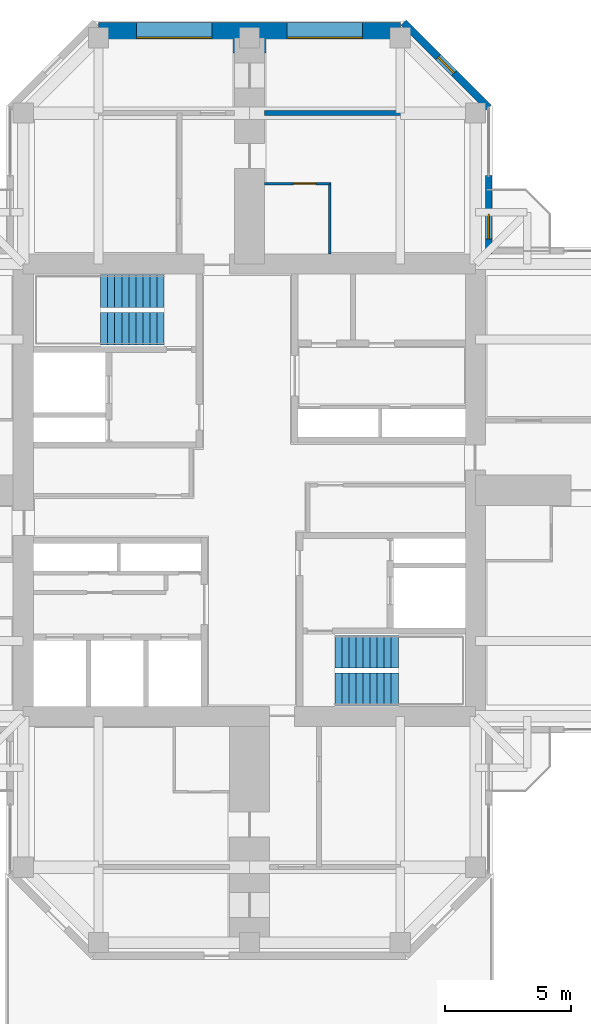
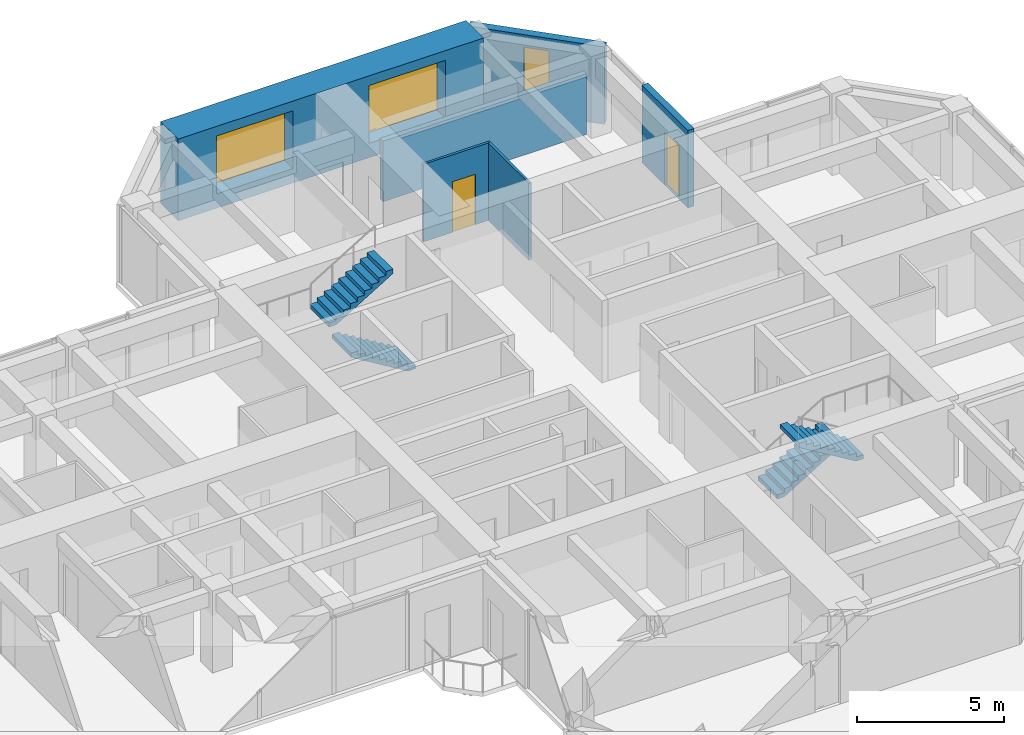
# One storey, part 12 of 14: 6 walls, 4 stair flights, 3 windows, 2 doors, 5 openings, 2 elements without a shape of their own.
"""IFC4 building model written with IfcOpenShell, lengths in metres."""

from ifc_helpers import new_model, si_unit, direction, frame, frame_2d, origin, place, context, subcontext, project, spatial, polyline, rectangle, hollow_rectangle, outline, extrude, material, layer, layer_set, constituent, constituent_set, type_object, element, fill, aggregate, save


model = new_model("IFC4")

# Units and contexts
model_context = context("Model", 3, precision=1e-05, world=origin(), true_north=direction((0.0, 1.0)))
body_context = subcontext(model_context, "Body", "Model", "MODEL_VIEW")
ifc_project = project(units=[si_unit("LENGTHUNIT", "METRE"), si_unit("AREAUNIT", "SQUARE_METRE"), si_unit("VOLUMEUNIT", "CUBIC_METRE"), si_unit("PLANEANGLEUNIT", "RADIAN"), si_unit("MASSUNIT", "GRAM", prefix="KILO")], contexts=[model_context])

# Site, building, storey
site_placement = place(None, origin())
site = spatial("IfcSite", under=ifc_project, at=site_placement, CompositionType="ELEMENT")
building_placement = place(site_placement, origin())
building = spatial("IfcBuilding", under=site, at=building_placement, Name="Torre Cruceta", CompositionType="ELEMENT")
storey_placement = place(building_placement, frame((0.0, 0.0, 222.10009765625)))
storey = spatial("IfcBuildingStorey", under=building, at=storey_placement, Name="L56", CompositionType="ELEMENT", Elevation=222.10009765625)

# Wall
ifc_material_1 = material(Name="Water-resistant plasterboard on steel studs", Category="steel")
ifc_layer_1 = layer(ifc_material_1, 0.10009765625)
ifc_layer_set_1 = layer_set([ifc_layer_1], Name="Water-resistant plasterboard on steel studs")
wall_type_1 = type_object("IfcWallType", Name="BATHROOM WALL 100", PredefinedType="PARTITIONING", material=ifc_layer_set_1)
wall_1_placement = place(storey_placement, frame((3.199951171875, 9.39990234375, 0.0), z_axis=(0.0, 0.0, 1.0), x_axis=(0.0, 1.0, 0.0)))
element("IfcWall", 1, at=wall_1_placement, inside=storey, type_object=wall_type_1, Name="PT4 L56-N-U1RBB", PredefinedType="PARTITIONING", context=body_context, shape_type="SweptSolid", body=[
    extrude(rectangle(XDim=2.85009765625, YDim=0.10009765625, at=frame_2d((1.425048828125, 0.0))), origin(), (0.0, 0.0, 1.0), 3.219970703125),
])

# Wall, opening, door
wall_2_placement = place(storey_placement, frame((3.199951171875, 12.199951171875, 0.0), z_axis=(0.0, 0.0, 1.0), x_axis=(-1.0, 0.0, 0.0)))
wall_2 = element("IfcWall", 2, at=wall_2_placement, inside=storey, type_object=wall_type_1, Name="PT4 L56-N-U1RBS", PredefinedType="PARTITIONING", context=body_context, shape_type="SweptSolid", body=[
    extrude(rectangle(XDim=2.599853515625, YDim=0.10009765625, at=frame_2d((1.2998046875, 0.0))), origin(), (0.0, 0.0, 1.0), 3.219970703125),
])
opening_1_placement = place(wall_2_placement, frame((0.550048828125, 0.0, 0.0)))
opening_1 = element("IfcOpeningElement", 3, at=opening_1_placement, cuts=wall_2, Name="Opening D7", PredefinedType="OPENING", context=body_context, shape_type="SweptSolid", body=[
    extrude(rectangle(XDim=0.89990234375, YDim=2.10009765625, at=frame_2d((0.449951171875, 1.050048828125))), frame((0.0, 0.06005859375, 0.0), z_axis=(0.0, -1.0, 0.0), x_axis=(1.0, 0.0, 0.0)), (0.0, 0.0, 1.0), 0.1201171875),
])
ifc_material_2 = material(Name="Timber door", Category="wood")
door_type_1 = type_object("IfcDoorType", Name="BATHROOM DOOR 900X2100", OperationType="SINGLE_SWING_LEFT", PredefinedType="DOOR", material=ifc_material_2)
door_1_placement = place(opening_1_placement, origin())
door_1 = element("IfcDoor", 4, at=door_1_placement, inside=storey, type_object=door_type_1, Name="D7 L56-N-U1RBS-D1", OperationType="SINGLE_SWING_LEFT", OverallHeight=2.10009765625, OverallWidth=0.89990234375, PredefinedType="DOOR", context=body_context, shape_type="SweptSolid", body=[
    extrude(rectangle(XDim=0.89990234375, YDim=2.10009765625, at=frame_2d((0.449951171875, 1.050048828125))), frame((0.0, 0.02490234375, 0.0), z_axis=(0.0, -1.0, 0.0), x_axis=(1.0, 0.0, 0.0)), (0.0, 0.0, 1.0), 0.050048828125),
])
fill(opening_1, door_1)

# Wall, opening, window
ifc_material_3 = material(Name="Concrete G30 (fck 30 MPa)", Category="concrete")
ifc_layer_2 = layer(ifc_material_3, 0.300048828125)
ifc_layer_set_2 = layer_set([ifc_layer_2], Name="Concrete G30 (fck 30 MPa)")
wall_type_2 = type_object("IfcWallType", Name="EXPOSED CONCRETE FACADE WALL 300", PredefinedType="SOLIDWALL", material=ifc_layer_set_2)
wall_3_placement = place(storey_placement, frame((9.52001953125, 15.21533203125, 0.0), z_axis=(0.0, 0.0, 1.0), x_axis=(-0.707081278264, 0.707132283189, 0.0)))
wall_3 = element("IfcWall", 5, at=wall_3_placement, inside=storey, type_object=wall_type_2, Name="EW1 facade wall L56 N chamfer 06", PredefinedType="SOLIDWALL", context=body_context, shape_type="SweptSolid", body=[
    extrude(rectangle(XDim=4.78662109375, YDim=0.300048828125, at=frame_2d((2.393310546875, 0.0))), origin(), (0.0, 0.0, 1.0), 3.219970703125),
])
opening_2_placement = place(wall_3_placement, frame((1.943359375, 0.0, 0.300048828125)))
opening_2 = element("IfcOpeningElement", 6, at=opening_2_placement, cuts=wall_3, Name="Opening WN5", PredefinedType="OPENING", context=body_context, shape_type="SweptSolid", body=[
    extrude(rectangle(XDim=0.89990234375, YDim=2.39990234375, at=frame_2d((0.449951171875, 1.199951171875))), frame((0.0, 0.159912109375, 0.0), z_axis=(0.0, -1.0, 0.0), x_axis=(1.0, 0.0, 0.0)), (0.0, 0.0, 1.0), 0.320068359375),
])
ifc_material_4 = material(Name="Aluminium window frame", Category="aluminium")
ifc_constituent_1 = constituent(ifc_material_4, Name="Frame")
ifc_material_5 = material(Name="Laminated insulating glass unit, low-iron clear", Category="glass")
ifc_constituent_2 = constituent(ifc_material_5, Name="Glazing")
ifc_constituent_set_1 = constituent_set(constituents=[ifc_constituent_1, ifc_constituent_2], Name="Aluminium window")
window_type_1 = type_object("IfcWindowType", Name="CHAMFER SLOT WINDOW 900X2400", PartitioningType="SINGLE_PANEL", PredefinedType="WINDOW", material=ifc_constituent_set_1)
window_1_placement = place(opening_2_placement, origin())
window_1 = element("IfcWindow", 7, at=window_1_placement, inside=storey, type_object=window_type_1, Name="WN5 L56 N 1", OverallHeight=2.39990234375, OverallWidth=0.89990234375, PartitioningType="SINGLE_PANEL", PredefinedType="WINDOW", context=body_context, shape_type="SweptSolid", body=[
    extrude(hollow_rectangle(XDim=0.89990234375, YDim=2.39990234375, WallThickness=0.06005859375, at=frame_2d((0.449951171875, 1.199951171875))), frame((0.0, 0.030029296875, 0.0), z_axis=(0.0, -1.0, 0.0), x_axis=(1.0, 0.0, 0.0)), (0.0, 0.0, 1.0), 0.06005859375),
    extrude(rectangle(XDim=0.77880859375, YDim=2.27880859375, at=frame_2d((0.449951171875, 1.199951171875))), frame((0.0, 0.030029296875, 0.0), z_axis=(0.0, -1.0, 0.0), x_axis=(1.0, 0.0, 0.0)), (0.0, 0.0, 1.0), 0.06005859375),
])
fill(opening_2, window_1)

# Wall, openings, windows
ifc_material_6 = material(Name="Concrete G60 (fck 60 MPa)", Category="concrete")
ifc_layer_3 = layer(ifc_material_6, 1.199951171875)
ifc_layer_set_3 = layer_set([ifc_layer_3], Name="Concrete G60 (fck 60 MPa)")
wall_type_3 = type_object("IfcWallType", Name="NOSE WALL 1200 G60", PredefinedType="SHEAR", material=ifc_layer_set_3)
wall_4_placement = place(storey_placement, frame((6.0, 18.0, 0.0), z_axis=(0.0, 0.0, 1.0), x_axis=(-1.0, 0.0, 0.0)))
wall_4 = element("IfcWall", 8, at=wall_4_placement, inside=storey, type_object=wall_type_3, Name="NW1 nose wall L56 N", PredefinedType="SHEAR", context=body_context, shape_type="SweptSolid", body=[
    extrude(rectangle(XDim=12.0, YDim=1.199951171875, at=frame_2d((6.0, 0.0))), origin(), (0.0, 0.0, 1.0), 3.39990234375),
])
opening_3_placement = place(wall_4_placement, frame((1.5, 0.0, 0.60009765625)))
opening_3 = element("IfcOpeningElement", 9, at=opening_3_placement, cuts=wall_4, Name="Opening WN6", PredefinedType="OPENING", context=body_context, shape_type="SweptSolid", body=[
    extrude(rectangle(XDim=3.0, YDim=2.39990234375, at=frame_2d((1.5, 1.199951171875))), frame((0.0, 0.60986328125, 0.0), z_axis=(0.0, -1.0, 0.0), x_axis=(1.0, 0.0, 0.0)), (0.0, 0.0, 1.0), 1.219970703125),
])
opening_4_placement = place(wall_4_placement, frame((7.5, 0.0, 0.60009765625)))
opening_4 = element("IfcOpeningElement", 10, at=opening_4_placement, cuts=wall_4, Name="Opening WN6", PredefinedType="OPENING", context=body_context, shape_type="SweptSolid", body=[
    extrude(rectangle(XDim=3.0, YDim=2.39990234375, at=frame_2d((1.5, 1.199951171875))), frame((0.0, 0.60986328125, 0.0), z_axis=(0.0, -1.0, 0.0), x_axis=(1.0, 0.0, 0.0)), (0.0, 0.0, 1.0), 1.219970703125),
])
ifc_material_7 = material(Name="Aluminium window frame", Category="aluminium")
ifc_constituent_3 = constituent(ifc_material_7, Name="Frame")
ifc_material_8 = material(Name="Laminated insulating glass unit, low-iron clear", Category="glass")
ifc_constituent_4 = constituent(ifc_material_8, Name="Glazing")
ifc_constituent_set_2 = constituent_set(constituents=[ifc_constituent_3, ifc_constituent_4], Name="Aluminium window")
window_type_2 = type_object("IfcWindowType", Name="NOSE WALL WINDOW 3000X2400", PartitioningType="SINGLE_PANEL", PredefinedType="WINDOW", material=ifc_constituent_set_2)
window_2_placement = place(opening_3_placement, origin())
window_2 = element("IfcWindow", 11, at=window_2_placement, inside=storey, type_object=window_type_2, Name="WN6 L56 N 1", OverallHeight=2.39990234375, OverallWidth=3.0, PartitioningType="SINGLE_PANEL", PredefinedType="WINDOW", context=body_context, shape_type="SweptSolid", body=[
    extrude(hollow_rectangle(XDim=3.0, YDim=2.39990234375, WallThickness=0.06005859375, at=frame_2d((1.5, 1.199951171875))), frame((0.0, 0.030029296875, 0.0), z_axis=(0.0, -1.0, 0.0), x_axis=(1.0, 0.0, 0.0)), (0.0, 0.0, 1.0), 0.06005859375),
    extrude(rectangle(XDim=2.87890625, YDim=2.27880859375, at=frame_2d((1.5, 1.199951171875))), frame((0.0, 0.030029296875, 0.0), z_axis=(0.0, -1.0, 0.0), x_axis=(1.0, 0.0, 0.0)), (0.0, 0.0, 1.0), 0.06005859375),
])
fill(opening_3, window_2)
window_3_placement = place(opening_4_placement, origin())
window_3 = element("IfcWindow", 12, at=window_3_placement, inside=storey, type_object=window_type_2, Name="WN6 L56 N 2", OverallHeight=2.39990234375, OverallWidth=3.0, PartitioningType="SINGLE_PANEL", PredefinedType="WINDOW", context=body_context, shape_type="SweptSolid", body=[
    extrude(hollow_rectangle(XDim=3.0, YDim=2.39990234375, WallThickness=0.06005859375, at=frame_2d((1.5, 1.199951171875))), frame((0.0, 0.030029296875, 0.0), z_axis=(0.0, -1.0, 0.0), x_axis=(1.0, 0.0, 0.0)), (0.0, 0.0, 1.0), 0.06005859375),
    extrude(rectangle(XDim=2.87890625, YDim=2.27880859375, at=frame_2d((1.5, 1.199951171875))), frame((0.0, 0.030029296875, 0.0), z_axis=(0.0, -1.0, 0.0), x_axis=(1.0, 0.0, 0.0)), (0.0, 0.0, 1.0), 0.06005859375),
])
fill(opening_4, window_3)

# Wall
ifc_material_9 = material(Name="Concrete G25 (fck 25 MPa)", Category="concrete")
ifc_layer_4 = layer(ifc_material_9, 0.199951171875)
ifc_layer_set_4 = layer_set([ifc_layer_4], Name="Concrete G25 (fck 25 MPa)")
wall_type_4 = type_object("IfcWallType", Name="UNIT SEPARATING WALL 200", PredefinedType="SOLIDWALL", material=ifc_layer_set_4)
wall_5_placement = place(storey_placement, frame((8.60009765625, 15.0, 0.0), z_axis=(0.0, 0.0, 1.0), x_axis=(-1.0, 0.0, 0.0)))
element("IfcWall", 13, at=wall_5_placement, inside=storey, type_object=wall_type_4, Name="PT2 L56-N-ENDa", PredefinedType="SOLIDWALL", context=body_context, shape_type="SweptSolid", body=[
    extrude(rectangle(XDim=8.0, YDim=0.199951171875, at=frame_2d((4.0, 0.0))), origin(), (0.0, 0.0, 1.0), 2.52001953125),
])

# Wall, opening, door
ifc_material_10 = material(Name="Concrete G30 (fck 30 MPa)", Category="concrete")
ifc_layer_5 = layer(ifc_material_10, 0.25)
ifc_layer_set_5 = layer_set([ifc_layer_5], Name="Concrete G30 (fck 30 MPa)")
wall_type_5 = type_object("IfcWallType", Name="WINTER GARDEN WALL 250", PredefinedType="SOLIDWALL", material=ifc_layer_set_5)
wall_6_placement = place(storey_placement, frame((9.52001953125, 9.39501953125, 0.0), z_axis=(0.0, 0.0, 1.0), x_axis=(0.0, 1.0, 0.0)))
wall_6 = element("IfcWall", 14, at=wall_6_placement, inside=storey, type_object=wall_type_5, Name="EW2 winter garden wall L56 05", PredefinedType="SOLIDWALL", context=body_context, shape_type="SweptSolid", body=[
    extrude(rectangle(XDim=3.125, YDim=0.25, at=frame_2d((1.5625, 0.0))), origin(), (0.0, 0.0, 1.0), 3.219970703125),
])
opening_5_placement = place(wall_6_placement, frame((0.60009765625, 0.0, 0.0)))
opening_5 = element("IfcOpeningElement", 15, at=opening_5_placement, cuts=wall_6, Name="Opening D10", PredefinedType="OPENING", context=body_context, shape_type="SweptSolid", body=[
    extrude(rectangle(XDim=1.0, YDim=2.199951171875, at=frame_2d((0.5, 1.10009765625))), frame((0.0, 0.135009765625, 0.0), z_axis=(0.0, -1.0, 0.0), x_axis=(1.0, 0.0, 0.0)), (0.0, 0.0, 1.0), 0.27001953125),
])
ifc_material_11 = material(Name="Aluminium door frame", Category="aluminium")
ifc_constituent_5 = constituent(ifc_material_11, Name="Frame")
ifc_material_12 = material(Name="Laminated safety glass", Category="glass")
ifc_constituent_6 = constituent(ifc_material_12, Name="Glazing")
ifc_constituent_set_3 = constituent_set(constituents=[ifc_constituent_5, ifc_constituent_6], Name="Aluminium glazed door")
door_type_2 = type_object("IfcDoorType", Name="BALCONY DOOR 1000X2200", OperationType="SINGLE_SWING_RIGHT", PredefinedType="DOOR", material=ifc_constituent_set_3)
door_2_placement = place(opening_5_placement, origin())
door_2 = element("IfcDoor", 16, at=door_2_placement, inside=storey, type_object=door_type_2, Name="D10 balcony door L56 05", OperationType="SINGLE_SWING_LEFT", OverallHeight=2.199951171875, OverallWidth=1.0, PredefinedType="DOOR", context=body_context, shape_type="SweptSolid", body=[
    extrude(hollow_rectangle(XDim=1.0, YDim=2.199951171875, WallThickness=0.06005859375, at=frame_2d((0.5, 1.10009765625))), frame((0.0, 0.02490234375, 0.0), z_axis=(0.0, -1.0, 0.0), x_axis=(1.0, 0.0, 0.0)), (0.0, 0.0, 1.0), 0.050048828125),
    extrude(rectangle(XDim=0.87890625, YDim=2.078857421875, at=frame_2d((0.5, 1.10009765625))), frame((0.0, 0.02490234375, 0.0), z_axis=(0.0, -1.0, 0.0), x_axis=(1.0, 0.0, 0.0)), (0.0, 0.0, 1.0), 0.050048828125),
])
fill(opening_5, door_2)

# Stair, stair flights
ifc_material_13 = material(Name="Concrete G30 (fck 30 MPa)", Category="concrete")
stair_type = type_object("IfcStairType", Name="STAIR HALF-TURN 1300", PredefinedType="HALF_TURN_STAIR", material=ifc_material_13)
stair_1_placement = place(storey_placement, origin())
stair_1 = element("IfcStair", 17, at=stair_1_placement, inside=storey, type_object=stair_type, Name="Stair ST1 L56", PredefinedType="HALF_TURN_STAIR")
ifc_material_14 = material(Name="Concrete G30 (fck 30 MPa)", Category="concrete")
stair_flight_type = type_object("IfcStairFlightType", Name="STAIR FLIGHT 1300", PredefinedType="STRAIGHT", material=ifc_material_14)
stair_flight_1_placement = place(storey_placement, frame((-3.39990234375, 6.425048828125, 0.0), z_axis=(0.0, 0.0, 1.0), x_axis=(-1.0, 0.0, 0.0)))
stair_flight_1 = element("IfcStairFlight", 18, at=stair_flight_1_placement, type_object=stair_flight_type, Name="ST1 flight 1", NumberOfRisers=10, NumberOfTreads=9, PredefinedType="STRAIGHT", RiserHeight=0.17, TreadLength=0.28, context=body_context, shape_type="SweptSolid", body=[
    extrude(outline(polyline([(0.0, 0.0), (0.0, 0.169921875), (0.280029296875, 0.169921875), (0.280029296875, 0.340087890625), (0.56005859375, 0.340087890625), (0.56005859375, 0.510009765625), (0.840087890625, 0.510009765625), (0.840087890625, 0.679931640625), (1.1201171875, 0.679931640625), (1.1201171875, 0.85009765625), (1.39990234375, 0.85009765625), (1.39990234375, 1.02001953125), (1.679931640625, 1.02001953125), (1.679931640625, 1.18994140625), (1.9599609375, 1.18994140625), (1.9599609375, 1.360107421875), (2.239990234375, 1.360107421875), (2.239990234375, 1.530029296875), (2.52001953125, 1.530029296875), (2.52001953125, 1.699951171875), (2.52001953125, 1.354736328125), (0.288818359375, 0.0), (0.0, 0.0)])), frame((0.0, 0.64990234375, 0.0), z_axis=(0.0, -1.0, 0.0), x_axis=(1.0, 0.0, 0.0)), (0.0, 0.0, 1.0), 1.300048828125),
])
stair_flight_2_placement = place(storey_placement, frame((-5.919921875, 7.925048828125, 1.699951171875), z_axis=(0.0, 0.0, 1.0), x_axis=(1.0, 0.0, 0.0)))
stair_flight_2 = element("IfcStairFlight", 19, at=stair_flight_2_placement, type_object=stair_flight_type, Name="ST1 flight 2", NumberOfRisers=10, NumberOfTreads=9, PredefinedType="STRAIGHT", RiserHeight=0.17, TreadLength=0.28, context=body_context, shape_type="SweptSolid", body=[
    extrude(outline(polyline([(0.0, 0.0), (0.0, 0.169921875), (0.280029296875, 0.169921875), (0.280029296875, 0.340087890625), (0.56005859375, 0.340087890625), (0.56005859375, 0.510009765625), (0.840087890625, 0.510009765625), (0.840087890625, 0.679931640625), (1.1201171875, 0.679931640625), (1.1201171875, 0.85009765625), (1.39990234375, 0.85009765625), (1.39990234375, 1.02001953125), (1.679931640625, 1.02001953125), (1.679931640625, 1.18994140625), (1.9599609375, 1.18994140625), (1.9599609375, 1.360107421875), (2.239990234375, 1.360107421875), (2.239990234375, 1.530029296875), (2.52001953125, 1.530029296875), (2.52001953125, 1.699951171875), (2.52001953125, 1.354736328125), (0.288818359375, 0.0), (0.0, 0.0)])), frame((0.0, 0.64990234375, 0.0), z_axis=(0.0, -1.0, 0.0), x_axis=(1.0, 0.0, 0.0)), (0.0, 0.0, 1.0), 1.300048828125),
])
aggregate(stair_1, [stair_flight_1, stair_flight_2])

stair_2_placement = place(storey_placement, origin())
stair_2 = element("IfcStair", 20, at=stair_2_placement, inside=storey, type_object=stair_type, Name="Stair ST2 L56", PredefinedType="HALF_TURN_STAIR")
stair_flight_3_placement = place(storey_placement, frame((3.39990234375, -6.425048828125, 0.0), z_axis=(0.0, 0.0, 1.0), x_axis=(1.0, 0.0, 0.0)))
stair_flight_3 = element("IfcStairFlight", 21, at=stair_flight_3_placement, type_object=stair_flight_type, Name="ST2 flight 1", NumberOfRisers=10, NumberOfTreads=9, PredefinedType="STRAIGHT", RiserHeight=0.17, TreadLength=0.28, context=body_context, shape_type="SweptSolid", body=[
    extrude(outline(polyline([(0.0, 0.0), (0.0, 0.169921875), (0.280029296875, 0.169921875), (0.280029296875, 0.340087890625), (0.56005859375, 0.340087890625), (0.56005859375, 0.510009765625), (0.840087890625, 0.510009765625), (0.840087890625, 0.679931640625), (1.1201171875, 0.679931640625), (1.1201171875, 0.85009765625), (1.39990234375, 0.85009765625), (1.39990234375, 1.02001953125), (1.679931640625, 1.02001953125), (1.679931640625, 1.18994140625), (1.9599609375, 1.18994140625), (1.9599609375, 1.360107421875), (2.239990234375, 1.360107421875), (2.239990234375, 1.530029296875), (2.52001953125, 1.530029296875), (2.52001953125, 1.699951171875), (2.52001953125, 1.354736328125), (0.288818359375, 0.0), (0.0, 0.0)])), frame((0.0, 0.64990234375, 0.0), z_axis=(0.0, -1.0, 0.0), x_axis=(1.0, 0.0, 0.0)), (0.0, 0.0, 1.0), 1.300048828125),
])
stair_flight_4_placement = place(storey_placement, frame((5.919921875, -7.925048828125, 1.699951171875), z_axis=(0.0, 0.0, 1.0), x_axis=(-1.0, 0.0, 0.0)))
stair_flight_4 = element("IfcStairFlight", 22, at=stair_flight_4_placement, type_object=stair_flight_type, Name="ST2 flight 2", NumberOfRisers=10, NumberOfTreads=9, PredefinedType="STRAIGHT", RiserHeight=0.17, TreadLength=0.28, context=body_context, shape_type="SweptSolid", body=[
    extrude(outline(polyline([(0.0, 0.0), (0.0, 0.169921875), (0.280029296875, 0.169921875), (0.280029296875, 0.340087890625), (0.56005859375, 0.340087890625), (0.56005859375, 0.510009765625), (0.840087890625, 0.510009765625), (0.840087890625, 0.679931640625), (1.1201171875, 0.679931640625), (1.1201171875, 0.85009765625), (1.39990234375, 0.85009765625), (1.39990234375, 1.02001953125), (1.679931640625, 1.02001953125), (1.679931640625, 1.18994140625), (1.9599609375, 1.18994140625), (1.9599609375, 1.360107421875), (2.239990234375, 1.360107421875), (2.239990234375, 1.530029296875), (2.52001953125, 1.530029296875), (2.52001953125, 1.699951171875), (2.52001953125, 1.354736328125), (0.288818359375, 0.0), (0.0, 0.0)])), frame((0.0, 0.64990234375, 0.0), z_axis=(0.0, -1.0, 0.0), x_axis=(1.0, 0.0, 0.0)), (0.0, 0.0, 1.0), 1.300048828125),
])
aggregate(stair_2, [stair_flight_3, stair_flight_4])

save(model, "model.ifc")
